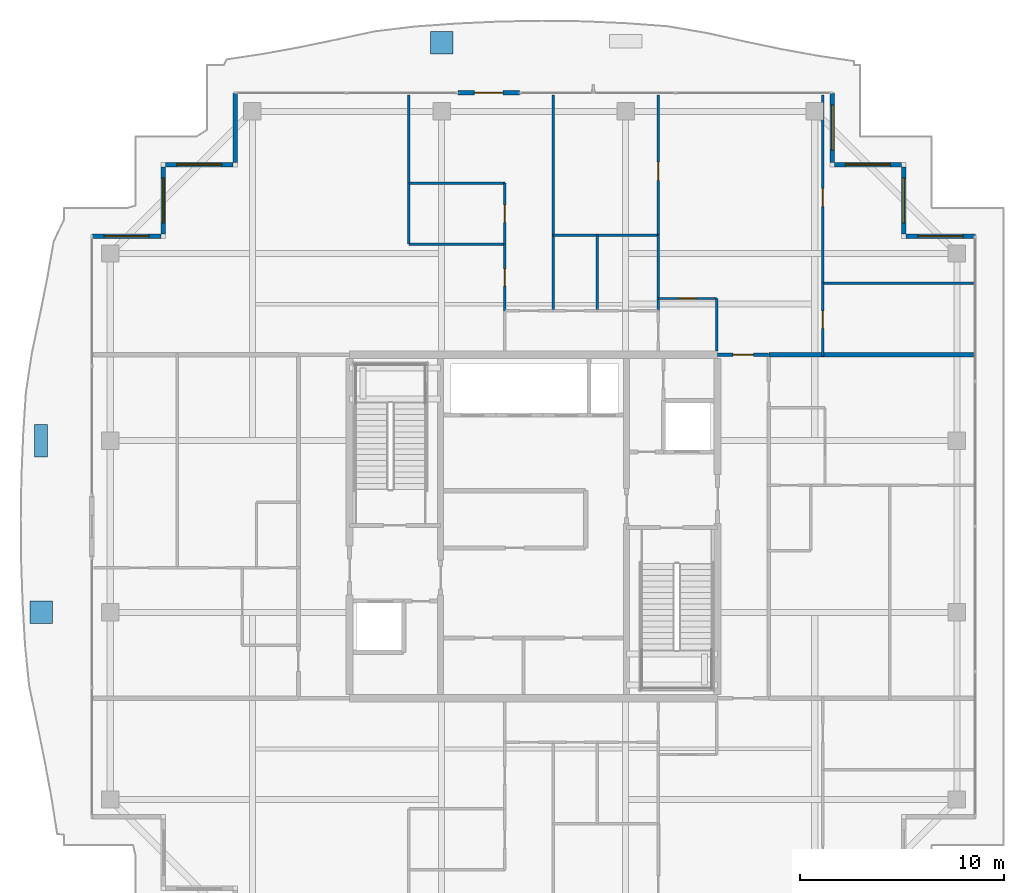
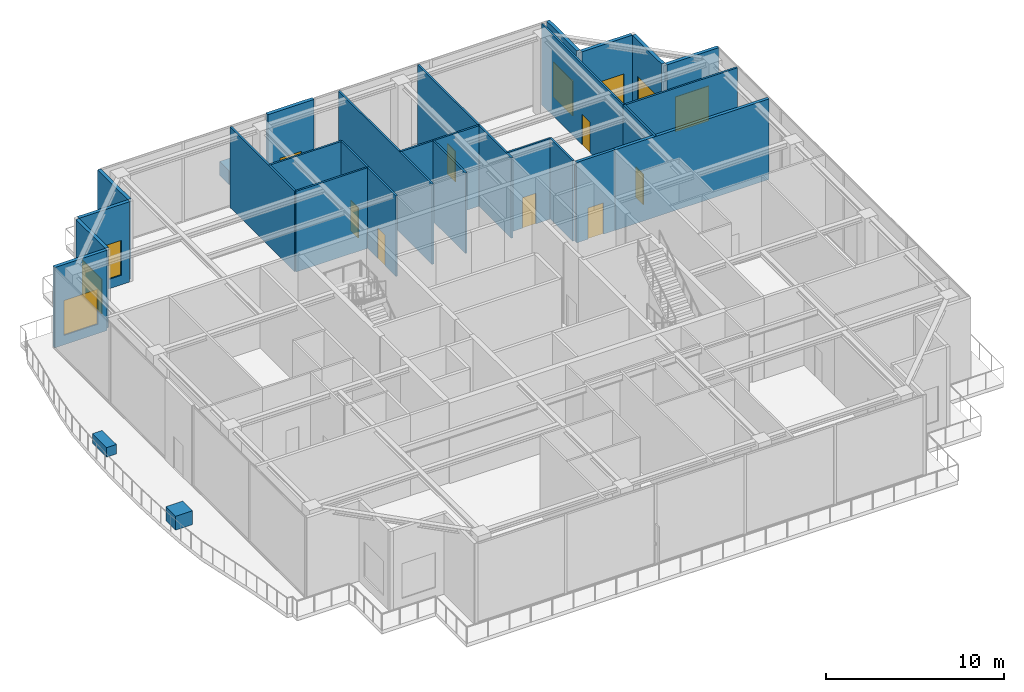
# One storey, part 29 of 38: 26 walls, 8 doors, 7 windows, 3 discrete accessories, 15 openings.
"""IFC4 building model written with IfcOpenShell, lengths in metres."""

from ifc_helpers import new_model, si_unit, direction, frame, frame_2d, origin, origin_2d, place, context, subcontext, project, spatial, rectangle, extrude, source, transform, mapped, material, layer, layer_set, type_object, element, fill, save


model = new_model("IFC4")

# Units and contexts
model_context = context("Model", 3, precision=1e-05, world=origin(), true_north=direction((0.0, 1.0)))
body_context = subcontext(model_context, "Body", "Model", "MODEL_VIEW")
ifc_project = project(units=[si_unit("LENGTHUNIT", "METRE"), si_unit("AREAUNIT", "SQUARE_METRE"), si_unit("VOLUMEUNIT", "CUBIC_METRE"), si_unit("PLANEANGLEUNIT", "RADIAN"), si_unit("MASSUNIT", "GRAM", prefix="KILO")], contexts=[model_context])

# Site, building, storey
site_placement = place(None, origin())
site = spatial("IfcSite", under=ifc_project, at=site_placement, CompositionType="ELEMENT")
building_placement = place(site_placement, origin())
building = spatial("IfcBuilding", under=site, at=building_placement, Name="Serunith Strait Residences", CompositionType="ELEMENT")
storey_placement = place(building_placement, frame((0.0, 0.0, 353.85009765625)))
storey = spatial("IfcBuildingStorey", under=building, at=storey_placement, Name="L87", CompositionType="ELEMENT", Elevation=353.85009765625)

# Wall, opening, window
ifc_material_1 = material(Name="Pale-Champagne Aluminium Insulated Panel", Category="aluminium")
ifc_layer_1 = layer(ifc_material_1, 0.219970703125, Name="Pale-Champagne Aluminium Insulated Panel")
ifc_layer_set_1 = layer_set([ifc_layer_1], Name="Pale-Champagne Aluminium Insulated Panel")
wall_type_1 = type_object("IfcWallType", Name="EW-ALUM-220", PredefinedType="ELEMENTEDWALL", material=ifc_layer_set_1)
wall_1_placement = place(storey_placement, frame((54.0, 39.39990234375, 0.0), z_axis=(0.0, 0.0, 1.0), x_axis=(-1.0, 0.0, 0.0)))
wall_1 = element("IfcWall", 1, at=wall_1_placement, inside=storey, type_object=wall_type_1, Name="L87 Girih Serrated Corner Wall 07", PredefinedType="ELEMENTEDWALL", context=body_context, shape_type="SweptSolid", body=[
    extrude(rectangle(XDim=3.389892578125, YDim=0.219970703125, at=frame_2d((1.69482421875, 0.0))), origin(), (0.0, 0.0, 1.0), 5.52490234375),
])
opening_1_placement = place(wall_1_placement, frame((0.594970703125, 0.0, 0.64990234375)))
opening_1 = element("IfcOpeningElement", 2, at=opening_1_placement, cuts=wall_1, Name="Opening W-06", PredefinedType="OPENING", context=body_context, shape_type="SweptSolid", body=[
    extrude(rectangle(XDim=2.199951171875, YDim=2.39990234375, at=frame_2d((1.10009765625, 1.199951171875))), frame((0.0, 0.1201171875, 0.0), z_axis=(0.0, -1.0, 0.0), x_axis=(1.0, 0.0, 0.0)), (0.0, 0.0, 1.0), 0.239990234375),
])
ifc_material_2 = material(Name="Crown Penthouse Low-E Operable Window Glass", Category="glass")
window_type = type_object("IfcWindowType", Name="WIN-C6", PartitioningType="TRIPLE_PANEL_VERTICAL", PredefinedType="WINDOW", material=ifc_material_2)
shared_shape_1 = source(origin(), body_context, "Body", "SweptSolid", [
    extrude(rectangle(XDim=2.199951171875, YDim=2.39990234375, at=frame_2d((1.10009765625, 1.199951171875))), frame((0.0, 0.030029296875, 0.0), z_axis=(0.0, -1.0, 0.0), x_axis=(1.0, 0.0, 0.0)), (0.0, 0.0, 1.0), 0.06005859375),
])
window_1_placement = place(opening_1_placement, origin())
window_1 = element("IfcWindow", 3, at=window_1_placement, inside=storey, type_object=window_type, Name="L87 Corner Operable Fritted Window 07", OverallHeight=2.39990234375, OverallWidth=2.199951171875, PartitioningType="SINGLE_PANEL", PredefinedType="WINDOW", context=body_context, shape_type="MappedRepresentation", body=[
    mapped(shared_shape_1, transform((0.0, 0.0, 0.0), scale=1.0)),
])
fill(opening_1, window_1)

wall_2_placement = place(storey_placement, frame((50.5, 39.510009765625, 0.0), z_axis=(0.0, 0.0, 1.0), x_axis=(0.0, 1.0, 0.0)))
wall_2 = element("IfcWall", 4, at=wall_2_placement, inside=storey, type_object=wall_type_1, Name="L87 Girih Serrated Corner Wall 08", PredefinedType="ELEMENTEDWALL", context=body_context, shape_type="SweptSolid", body=[
    extrude(rectangle(XDim=3.280029296875, YDim=0.219970703125, at=frame_2d((1.64013671875, 0.0))), origin(), (0.0, 0.0, 1.0), 5.52490234375),
])
opening_2_placement = place(wall_2_placement, frame((0.5400390625, 0.0, 0.64990234375)))
opening_2 = element("IfcOpeningElement", 5, at=opening_2_placement, cuts=wall_2, Name="Opening W-06", PredefinedType="OPENING", context=body_context, shape_type="SweptSolid", body=[
    extrude(rectangle(XDim=2.199951171875, YDim=2.39990234375, at=frame_2d((1.10009765625, 1.199951171875))), frame((0.0, 0.1201171875, 0.0), z_axis=(0.0, -1.0, 0.0), x_axis=(1.0, 0.0, 0.0)), (0.0, 0.0, 1.0), 0.239990234375),
])
window_2_placement = place(opening_2_placement, origin())
window_2 = element("IfcWindow", 6, at=window_2_placement, inside=storey, type_object=window_type, Name="L87 Corner Operable Fritted Window 08", OverallHeight=2.39990234375, OverallWidth=2.199951171875, PartitioningType="SINGLE_PANEL", PredefinedType="WINDOW", context=body_context, shape_type="MappedRepresentation", body=[
    mapped(shared_shape_1, transform((0.0, 0.0, 0.0), scale=1.0)),
])
fill(opening_2, window_2)

wall_3_placement = place(storey_placement, frame((50.389892578125, 42.89990234375, 0.0), z_axis=(0.0, 0.0, 1.0), x_axis=(-1.0, 0.0, 0.0)))
wall_3 = element("IfcWall", 7, at=wall_3_placement, inside=storey, type_object=wall_type_1, Name="L87 Girih Serrated Corner Wall 09", PredefinedType="ELEMENTEDWALL", context=body_context, shape_type="SweptSolid", body=[
    extrude(rectangle(XDim=3.27978515625, YDim=0.219970703125, at=frame_2d((1.639892578125, 0.0))), origin(), (0.0, 0.0, 1.0), 5.52490234375),
])
opening_3_placement = place(wall_3_placement, frame((0.5400390625, 0.0, 0.64990234375)))
opening_3 = element("IfcOpeningElement", 8, at=opening_3_placement, cuts=wall_3, Name="Opening W-06", PredefinedType="OPENING", context=body_context, shape_type="SweptSolid", body=[
    extrude(rectangle(XDim=2.199951171875, YDim=2.39990234375, at=frame_2d((1.10009765625, 1.199951171875))), frame((0.0, 0.1201171875, 0.0), z_axis=(0.0, -1.0, 0.0), x_axis=(1.0, 0.0, 0.0)), (0.0, 0.0, 1.0), 0.239990234375),
])
window_3_placement = place(opening_3_placement, origin())
window_3 = element("IfcWindow", 9, at=window_3_placement, inside=storey, type_object=window_type, Name="L87 Corner Operable Fritted Window 09", OverallHeight=2.39990234375, OverallWidth=2.199951171875, PartitioningType="SINGLE_PANEL", PredefinedType="WINDOW", context=body_context, shape_type="MappedRepresentation", body=[
    mapped(shared_shape_1, transform((0.0, 0.0, 0.0), scale=1.0)),
])
fill(opening_3, window_3)

wall_4_placement = place(storey_placement, frame((47.0, 43.010009765625, 0.0), z_axis=(0.0, 0.0, 1.0), x_axis=(0.0, 1.0, 0.0)))
wall_4 = element("IfcWall", 10, at=wall_4_placement, inside=storey, type_object=wall_type_1, Name="L87 Girih Serrated Corner Wall 10", PredefinedType="ELEMENTEDWALL", context=body_context, shape_type="SweptSolid", body=[
    extrude(rectangle(XDim=3.389892578125, YDim=0.219970703125, at=frame_2d((1.69482421875, 0.0))), origin(), (0.0, 0.0, 1.0), 5.52490234375),
])
opening_4_placement = place(wall_4_placement, frame((0.594970703125, 0.0, 0.64990234375)))
opening_4 = element("IfcOpeningElement", 11, at=opening_4_placement, cuts=wall_4, Name="Opening W-06", PredefinedType="OPENING", context=body_context, shape_type="SweptSolid", body=[
    extrude(rectangle(XDim=2.199951171875, YDim=2.39990234375, at=frame_2d((1.10009765625, 1.199951171875))), frame((0.0, 0.1201171875, 0.0), z_axis=(0.0, -1.0, 0.0), x_axis=(1.0, 0.0, 0.0)), (0.0, 0.0, 1.0), 0.239990234375),
])
window_4_placement = place(opening_4_placement, origin())
window_4 = element("IfcWindow", 12, at=window_4_placement, inside=storey, type_object=window_type, Name="L87 Corner Operable Fritted Window 10", OverallHeight=2.39990234375, OverallWidth=2.199951171875, PartitioningType="SINGLE_PANEL", PredefinedType="WINDOW", context=body_context, shape_type="MappedRepresentation", body=[
    mapped(shared_shape_1, transform((0.0, 0.0, 0.0), scale=1.0)),
])
fill(opening_4, window_4)

# Wall, opening, door
wall_5_placement = place(storey_placement, frame((31.699951171875, 46.39990234375, 0.0), z_axis=(0.0, 0.0, 1.0), x_axis=(-1.0, 0.0, 0.0)))
wall_5 = element("IfcWall", 13, at=wall_5_placement, inside=storey, type_object=wall_type_1, Name="L87 N Facade Pier Wall", PredefinedType="ELEMENTEDWALL", context=body_context, shape_type="SweptSolid", body=[
    extrude(rectangle(XDim=3.0, YDim=0.219970703125, at=frame_2d((1.5, 0.0))), origin(), (0.0, 0.0, 1.0), 5.52490234375),
])
opening_5_placement = place(wall_5_placement, frame((0.800048828125, 0.0, 0.0)))
opening_5 = element("IfcOpeningElement", 14, at=opening_5_placement, cuts=wall_5, Name="Opening ED-04", PredefinedType="OPENING", context=body_context, shape_type="SweptSolid", body=[
    extrude(rectangle(XDim=1.39990234375, YDim=2.25, at=frame_2d((0.699951171875, 1.125))), frame((0.0, 0.1201171875, 0.0), z_axis=(0.0, -1.0, 0.0), x_axis=(1.0, 0.0, 0.0)), (0.0, 0.0, 1.0), 0.239990234375),
])
ifc_material_3 = material(Name="Thermally-Broken Aluminium Sliding Balcony Door", Category="aluminium")
door_type_1 = type_object("IfcDoorType", Name="ED-BALC-1400", OperationType="NOTDEFINED", PredefinedType="DOOR", material=ifc_material_3)
shared_shape_2 = source(origin(), body_context, "Body", "SweptSolid", [
    extrude(rectangle(XDim=1.39990234375, YDim=2.25, at=frame_2d((0.699951171875, 1.125))), frame((0.0, 0.02490234375, 0.0), z_axis=(0.0, -1.0, 0.0), x_axis=(1.0, 0.0, 0.0)), (0.0, 0.0, 1.0), 0.050048828125),
])
door_1_placement = place(opening_5_placement, origin())
door_1 = element("IfcDoor", 15, at=door_1_placement, inside=storey, type_object=door_type_1, Name="L87 N Vertical-Forest Balcony Door", OperationType="SLIDING_TO_LEFT", OverallHeight=2.25, OverallWidth=1.39990234375, PredefinedType="DOOR", context=body_context, shape_type="MappedRepresentation", body=[
    mapped(shared_shape_2, transform((0.0, 0.0, 0.0), scale=1.0)),
])
fill(opening_5, door_1)

# Wall
wall_6_placement = place(storey_placement, frame((17.800048828125, 46.39990234375, 0.0), z_axis=(0.0, 0.0, 1.0), x_axis=(0.0, -1.0, 0.0)))
element("IfcWall", 16, at=wall_6_placement, inside=storey, type_object=wall_type_1, Name="L87 Girih Serrated Corner Wall 12", PredefinedType="ELEMENTEDWALL", context=body_context, shape_type="SweptSolid", body=[
    extrude(rectangle(XDim=3.389892578125, YDim=0.219970703125, at=frame_2d((1.69482421875, 0.0))), origin(), (0.0, 0.0, 1.0), 5.52490234375),
])

# Wall, opening, window
wall_7_placement = place(storey_placement, frame((17.68994140625, 42.89990234375, 0.0), z_axis=(0.0, 0.0, 1.0), x_axis=(-1.0, 0.0, 0.0)))
wall_7 = element("IfcWall", 17, at=wall_7_placement, inside=storey, type_object=wall_type_1, Name="L87 Girih Serrated Corner Wall 13", PredefinedType="ELEMENTEDWALL", context=body_context, shape_type="SweptSolid", body=[
    extrude(rectangle(XDim=3.280029296875, YDim=0.219970703125, at=frame_2d((1.64013671875, 0.0))), origin(), (0.0, 0.0, 1.0), 5.52490234375),
])
opening_6_placement = place(wall_7_placement, frame((0.5400390625, 0.0, 0.64990234375)))
opening_6 = element("IfcOpeningElement", 18, at=opening_6_placement, cuts=wall_7, Name="Opening W-06", PredefinedType="OPENING", context=body_context, shape_type="SweptSolid", body=[
    extrude(rectangle(XDim=2.199951171875, YDim=2.39990234375, at=frame_2d((1.10009765625, 1.199951171875))), frame((0.0, 0.1201171875, 0.0), z_axis=(0.0, -1.0, 0.0), x_axis=(1.0, 0.0, 0.0)), (0.0, 0.0, 1.0), 0.239990234375),
])
window_5_placement = place(opening_6_placement, origin())
window_5 = element("IfcWindow", 19, at=window_5_placement, inside=storey, type_object=window_type, Name="L87 Corner Operable Fritted Window 13", OverallHeight=2.39990234375, OverallWidth=2.199951171875, PartitioningType="SINGLE_PANEL", PredefinedType="WINDOW", context=body_context, shape_type="MappedRepresentation", body=[
    mapped(shared_shape_1, transform((0.0, 0.0, 0.0), scale=1.0)),
])
fill(opening_6, window_5)

wall_8_placement = place(storey_placement, frame((14.300048828125, 42.7900390625, 0.0), z_axis=(0.0, 0.0, 1.0), x_axis=(0.0, -1.0, 0.0)))
wall_8 = element("IfcWall", 20, at=wall_8_placement, inside=storey, type_object=wall_type_1, Name="L87 Girih Serrated Corner Wall 14", PredefinedType="ELEMENTEDWALL", context=body_context, shape_type="SweptSolid", body=[
    extrude(rectangle(XDim=3.280029296875, YDim=0.219970703125, at=frame_2d((1.64013671875, 0.0))), origin(), (0.0, 0.0, 1.0), 5.52490234375),
])
opening_7_placement = place(wall_8_placement, frame((0.5400390625, 0.0, 0.64990234375)))
opening_7 = element("IfcOpeningElement", 21, at=opening_7_placement, cuts=wall_8, Name="Opening W-06", PredefinedType="OPENING", context=body_context, shape_type="SweptSolid", body=[
    extrude(rectangle(XDim=2.199951171875, YDim=2.39990234375, at=frame_2d((1.10009765625, 1.199951171875))), frame((0.0, 0.1201171875, 0.0), z_axis=(0.0, -1.0, 0.0), x_axis=(1.0, 0.0, 0.0)), (0.0, 0.0, 1.0), 0.239990234375),
])
window_6_placement = place(opening_7_placement, origin())
window_6 = element("IfcWindow", 22, at=window_6_placement, inside=storey, type_object=window_type, Name="L87 Corner Operable Fritted Window 14", OverallHeight=2.39990234375, OverallWidth=2.199951171875, PartitioningType="SINGLE_PANEL", PredefinedType="WINDOW", context=body_context, shape_type="MappedRepresentation", body=[
    mapped(shared_shape_1, transform((0.0, 0.0, 0.0), scale=1.0)),
])
fill(opening_7, window_6)

wall_9_placement = place(storey_placement, frame((14.18994140625, 39.39990234375, 0.0), z_axis=(0.0, 0.0, 1.0), x_axis=(-1.0, 0.0, 0.0)))
wall_9 = element("IfcWall", 23, at=wall_9_placement, inside=storey, type_object=wall_type_1, Name="L87 Girih Serrated Corner Wall 15", PredefinedType="ELEMENTEDWALL", context=body_context, shape_type="SweptSolid", body=[
    extrude(rectangle(XDim=3.389892578125, YDim=0.219970703125, at=frame_2d((1.69482421875, 0.0))), origin(), (0.0, 0.0, 1.0), 5.52490234375),
])
opening_8_placement = place(wall_9_placement, frame((0.594970703125, 0.0, 0.64990234375)))
opening_8 = element("IfcOpeningElement", 24, at=opening_8_placement, cuts=wall_9, Name="Opening W-06", PredefinedType="OPENING", context=body_context, shape_type="SweptSolid", body=[
    extrude(rectangle(XDim=2.199951171875, YDim=2.39990234375, at=frame_2d((1.10009765625, 1.199951171875))), frame((0.0, 0.1201171875, 0.0), z_axis=(0.0, -1.0, 0.0), x_axis=(1.0, 0.0, 0.0)), (0.0, 0.0, 1.0), 0.239990234375),
])
window_7_placement = place(opening_8_placement, origin())
window_7 = element("IfcWindow", 25, at=window_7_placement, inside=storey, type_object=window_type, Name="L87 Corner Operable Fritted Window 15", OverallHeight=2.39990234375, OverallWidth=2.199951171875, PartitioningType="SINGLE_PANEL", PredefinedType="WINDOW", context=body_context, shape_type="MappedRepresentation", body=[
    mapped(shared_shape_1, transform((0.0, 0.0, 0.0), scale=1.0)),
])
fill(opening_8, window_7)

# Wall, opening, door
ifc_material_4 = material(Name="Fire-rated acoustic gypsum partition")
ifc_layer_2 = layer(ifc_material_4, 0.179931640625, Name="Fire-rated acoustic gypsum partition")
ifc_layer_set_2 = layer_set([ifc_layer_2], Name="Fire-rated acoustic gypsum partition")
wall_type_2 = type_object("IfcWallType", Name="IW-CORR-180", PredefinedType="PARTITIONING", material=ifc_layer_set_2)
wall_10_placement = place(storey_placement, frame((41.402099609375, 33.60009765625, 0.0), z_axis=(0.0, 0.0, 1.0), x_axis=(1.0, 0.0, 0.0)))
wall_10 = element("IfcWall", 26, at=wall_10_placement, inside=storey, type_object=wall_type_2, Name="L87 Partition Wall 026", PredefinedType="PARTITIONING", context=body_context, shape_type="SweptSolid", body=[
    extrude(rectangle(XDim=2.495849609375, YDim=0.179931640625, at=frame_2d((1.248046875, 0.0))), origin(), (0.0, 0.0, 1.0), 5.539794921875),
])
opening_9_placement = place(wall_10_placement, frame((0.748046875, 0.0, 0.0)))
opening_9 = element("IfcOpeningElement", 27, at=opening_9_placement, cuts=wall_10, Name="Opening D-APT1000", PredefinedType="OPENING", context=body_context, shape_type="SweptSolid", body=[
    extrude(rectangle(XDim=1.0, YDim=2.14990234375, at=frame_2d((0.5, 1.074951171875))), frame((0.0, 0.10009765625, 0.0), z_axis=(0.0, -1.0, 0.0), x_axis=(1.0, 0.0, 0.0)), (0.0, 0.0, 1.0), 0.199951171875),
])
ifc_material_5 = material(Name="Solid timber engineered fire door", Category="wood")
door_type_2 = type_object("IfcDoorType", Name="ID-APT-1000", OperationType="NOTDEFINED", PredefinedType="DOOR", material=ifc_material_5)
shared_shape_3 = source(origin(), body_context, "Body", "SweptSolid", [
    extrude(rectangle(XDim=1.0, YDim=2.14990234375, at=frame_2d((0.5, 1.074951171875))), frame((0.0, 0.02490234375, 0.0), z_axis=(0.0, -1.0, 0.0), x_axis=(1.0, 0.0, 0.0)), (0.0, 0.0, 1.0), 0.050048828125),
])
door_2_placement = place(opening_9_placement, origin())
door_2 = element("IfcDoor", 28, at=door_2_placement, inside=storey, type_object=door_type_2, Name="L87 Unit 02 Entrance Door", OperationType="SINGLE_SWING_RIGHT", OverallHeight=2.14990234375, OverallWidth=1.0, PredefinedType="DOOR", context=body_context, shape_type="MappedRepresentation", body=[
    mapped(shared_shape_3, transform((0.0, 0.0, 0.0), scale=1.0)),
])
fill(opening_9, door_2)

ifc_material_6 = material(Name="Lightweight steel-stud gypsum partition", Category="steel")
ifc_layer_3 = layer(ifc_material_6, 0.1201171875, Name="Lightweight steel-stud gypsum partition")
ifc_layer_set_3 = layer_set([ifc_layer_3], Name="Lightweight steel-stud gypsum partition")
wall_type_3 = type_object("IfcWallType", Name="IW-PART-120", PredefinedType="PARTITIONING", material=ifc_layer_set_3)
wall_11_placement = place(storey_placement, frame((38.5, 36.35009765625, 0.0), z_axis=(0.0, 0.0, 1.0), x_axis=(1.0, 0.0, 0.0)))
wall_11 = element("IfcWall", 29, at=wall_11_placement, inside=storey, type_object=wall_type_3, Name="L87 Partition Wall 048", PredefinedType="PARTITIONING", context=body_context, shape_type="SweptSolid", body=[
    extrude(rectangle(XDim=2.85009765625, YDim=0.1201171875, at=frame_2d((1.425048828125, 0.0))), origin(), (0.0, 0.0, 1.0), 5.539794921875),
])
opening_10_placement = place(wall_11_placement, frame((1.0, 0.0, 0.0)))
opening_10 = element("IfcOpeningElement", 30, at=opening_10_placement, cuts=wall_11, Name="Opening D-RM850", PredefinedType="OPENING", context=body_context, shape_type="SweptSolid", body=[
    extrude(rectangle(XDim=0.85009765625, YDim=2.10009765625, at=frame_2d((0.425048828125, 1.050048828125))), frame((0.0, 0.070068359375, 0.0), z_axis=(0.0, -1.0, 0.0), x_axis=(1.0, 0.0, 0.0)), (0.0, 0.0, 1.0), 0.14013671875),
])
ifc_material_7 = material(Name="Engineered timber flush study and kitchen door", Category="wood")
door_type_3 = type_object("IfcDoorType", Name="ID-ROOM-850", OperationType="NOTDEFINED", PredefinedType="DOOR", material=ifc_material_7)
shared_shape_4 = source(origin(), body_context, "Body", "SweptSolid", [
    extrude(rectangle(XDim=0.85009765625, YDim=2.10009765625, at=frame_2d((0.425048828125, 1.050048828125))), frame((0.0, 0.02490234375, 0.0), z_axis=(0.0, -1.0, 0.0), x_axis=(1.0, 0.0, 0.0)), (0.0, 0.0, 1.0), 0.050048828125),
])
door_3_placement = place(opening_10_placement, origin())
door_3 = element("IfcDoor", 31, at=door_3_placement, inside=storey, type_object=door_type_3, Name="L87 Kitchen 8702 Door", OperationType="SINGLE_SWING_RIGHT", OverallHeight=2.10009765625, OverallWidth=0.85009765625, PredefinedType="DOOR", context=body_context, shape_type="MappedRepresentation", body=[
    mapped(shared_shape_4, transform((0.0, 0.0, 0.0), scale=1.0)),
])
fill(opening_10, door_3)

# Wall
wall_12_placement = place(storey_placement, frame((41.35009765625, 36.35009765625, 0.0), z_axis=(0.0, 0.0, 1.0), x_axis=(0.0, -1.0, 0.0)))
element("IfcWall", 32, at=wall_12_placement, inside=storey, type_object=wall_type_3, Name="L87 Partition Wall 049", PredefinedType="PARTITIONING", context=body_context, shape_type="SweptSolid", body=[
    extrude(rectangle(XDim=2.5751953125, YDim=0.1201171875, at=frame_2d((1.28759765625, 0.0))), origin(), (0.0, 0.0, 1.0), 5.539794921875),
])

# Wall, opening, door
wall_13_placement = place(storey_placement, frame((38.5, 46.304931640625, 0.0), z_axis=(0.0, 0.0, 1.0), x_axis=(0.0, -1.0, 0.0)))
wall_13 = element("IfcWall", 33, at=wall_13_placement, inside=storey, type_object=wall_type_3, Name="L87 Partition Wall 051", PredefinedType="PARTITIONING", context=body_context, shape_type="SweptSolid", body=[
    extrude(rectangle(XDim=6.85400390625, YDim=0.1201171875, at=frame_2d((3.427001953125, 0.0))), origin(), (0.0, 0.0, 1.0), 5.539794921875),
])
opening_11_placement = place(wall_13_placement, frame((3.27490234375, 0.0, 0.0)))
opening_11 = element("IfcOpeningElement", 34, at=opening_11_placement, cuts=wall_13, Name="Opening D-RM900", PredefinedType="OPENING", context=body_context, shape_type="SweptSolid", body=[
    extrude(rectangle(XDim=0.89990234375, YDim=2.10009765625, at=frame_2d((0.449951171875, 1.050048828125))), frame((0.0, 0.070068359375, 0.0), z_axis=(0.0, -1.0, 0.0), x_axis=(1.0, 0.0, 0.0)), (0.0, 0.0, 1.0), 0.14013671875),
])
ifc_material_8 = material(Name="Engineered timber flush bedroom door", Category="wood")
door_type_4 = type_object("IfcDoorType", Name="ID-ROOM-900", OperationType="NOTDEFINED", PredefinedType="DOOR", material=ifc_material_8)
shared_shape_5 = source(origin(), body_context, "Body", "SweptSolid", [
    extrude(rectangle(XDim=0.89990234375, YDim=2.10009765625, at=frame_2d((0.449951171875, 1.050048828125))), frame((0.0, 0.02490234375, 0.0), z_axis=(0.0, -1.0, 0.0), x_axis=(1.0, 0.0, 0.0)), (0.0, 0.0, 1.0), 0.050048828125),
])
door_4_placement = place(opening_11_placement, origin())
door_4 = element("IfcDoor", 35, at=door_4_placement, inside=storey, type_object=door_type_4, Name="L87 Formal Dining Room 1 8702 Door", OperationType="SINGLE_SWING_RIGHT", OverallHeight=2.10009765625, OverallWidth=0.89990234375, PredefinedType="DOOR", context=body_context, shape_type="MappedRepresentation", body=[
    mapped(shared_shape_5, transform((0.0, 0.0, 0.0), scale=1.0)),
])
fill(opening_11, door_4)

# Walls
wall_14_placement = place(storey_placement, frame((38.5, 39.448974609375, 0.0), z_axis=(0.0, 0.0, 1.0), x_axis=(0.0, -1.0, 0.0)))
element("IfcWall", 36, at=wall_14_placement, inside=storey, type_object=wall_type_3, Name="L87 Partition Wall 052", PredefinedType="PARTITIONING", context=body_context, shape_type="SweptSolid", body=[
    extrude(rectangle(XDim=3.697021484375, YDim=0.1201171875, at=frame_2d((1.8486328125, 0.0))), origin(), (0.0, 0.0, 1.0), 5.539794921875),
])
wall_15_placement = place(storey_placement, frame((33.35009765625, 39.450927734375, 0.0), z_axis=(0.0, 0.0, 1.0), x_axis=(1.0, 0.0, 0.0)))
element("IfcWall", 37, at=wall_15_placement, inside=storey, type_object=wall_type_3, Name="L87 Partition Wall 053", PredefinedType="PARTITIONING", context=body_context, shape_type="SweptSolid", body=[
    extrude(rectangle(XDim=5.14990234375, YDim=0.1201171875, at=frame_2d((2.574951171875, 0.0))), origin(), (0.0, 0.0, 1.0), 5.539794921875),
])
wall_16_placement = place(storey_placement, frame((33.35009765625, 46.304931640625, 0.0), z_axis=(0.0, 0.0, 1.0), x_axis=(0.0, -1.0, 0.0)))
element("IfcWall", 38, at=wall_16_placement, inside=storey, type_object=wall_type_3, Name="L87 Partition Wall 054", PredefinedType="PARTITIONING", context=body_context, shape_type="SweptSolid", body=[
    extrude(rectangle(XDim=10.554931640625, YDim=0.1201171875, at=frame_2d((5.27734375, 0.0))), origin(), (0.0, 0.0, 1.0), 5.539794921875),
])
wall_17_placement = place(storey_placement, frame((35.512939453125, 39.450927734375, 0.0), z_axis=(0.0, 0.0, 1.0), x_axis=(0.0, -1.0, 0.0)))
element("IfcWall", 39, at=wall_17_placement, inside=storey, type_object=wall_type_3, Name="L87 Partition Wall 055", PredefinedType="PARTITIONING", context=body_context, shape_type="SweptSolid", body=[
    extrude(rectangle(XDim=3.700927734375, YDim=0.1201171875, at=frame_2d((1.8505859375, 0.0))), origin(), (0.0, 0.0, 1.0), 5.539794921875),
])
wall_18_placement = place(storey_placement, frame((26.300048828125, 41.989990234375, 0.0), z_axis=(0.0, 0.0, 1.0), x_axis=(1.0, 0.0, 0.0)))
element("IfcWall", 40, at=wall_18_placement, inside=storey, type_object=wall_type_3, Name="L87 Partition Wall 059", PredefinedType="PARTITIONING", context=body_context, shape_type="SweptSolid", body=[
    extrude(rectangle(XDim=4.699951171875, YDim=0.1201171875, at=frame_2d((2.35009765625, 0.0))), origin(), (0.0, 0.0, 1.0), 5.539794921875),
])
wall_19_placement = place(storey_placement, frame((26.300048828125, 46.304931640625, 0.0), z_axis=(0.0, 0.0, 1.0), x_axis=(0.0, -1.0, 0.0)))
element("IfcWall", 41, at=wall_19_placement, inside=storey, type_object=wall_type_3, Name="L87 Partition Wall 060", PredefinedType="PARTITIONING", context=body_context, shape_type="SweptSolid", body=[
    extrude(rectangle(XDim=7.2939453125, YDim=0.1201171875, at=frame_2d((3.64697265625, 0.0))), origin(), (0.0, 0.0, 1.0), 5.539794921875),
])
wall_20_placement = place(storey_placement, frame((26.300048828125, 39.010986328125, 0.0), z_axis=(0.0, 0.0, 1.0), x_axis=(1.0, 0.0, 0.0)))
element("IfcWall", 42, at=wall_20_placement, inside=storey, type_object=wall_type_3, Name="L87 Partition Wall 061", PredefinedType="PARTITIONING", context=body_context, shape_type="SweptSolid", body=[
    extrude(rectangle(XDim=4.699951171875, YDim=0.1201171875, at=frame_2d((2.35009765625, 0.0))), origin(), (0.0, 0.0, 1.0), 5.539794921875),
])

# Wall, opening, door
wall_21_placement = place(storey_placement, frame((31.0, 41.989990234375, 0.0), z_axis=(0.0, 0.0, 1.0), x_axis=(0.0, -1.0, 0.0)))
wall_21 = element("IfcWall", 43, at=wall_21_placement, inside=storey, type_object=wall_type_3, Name="L87 Partition Wall 062", PredefinedType="PARTITIONING", context=body_context, shape_type="SweptSolid", body=[
    extrude(rectangle(XDim=2.97900390625, YDim=0.1201171875, at=frame_2d((1.489501953125, 0.0))), origin(), (0.0, 0.0, 1.0), 5.539794921875),
])
opening_12_placement = place(wall_21_placement, frame((1.06396484375, 0.0, 0.0)))
opening_12 = element("IfcOpeningElement", 44, at=opening_12_placement, cuts=wall_21, Name="Opening D-BTH850", PredefinedType="OPENING", context=body_context, shape_type="SweptSolid", body=[
    extrude(rectangle(XDim=0.85009765625, YDim=2.10009765625, at=frame_2d((0.425048828125, 1.050048828125))), frame((0.0, 0.070068359375, 0.0), z_axis=(0.0, -1.0, 0.0), x_axis=(1.0, 0.0, 0.0)), (0.0, 0.0, 1.0), 0.14013671875),
])
ifc_material_9 = material(Name="Moisture-resistant timber bathroom door", Category="wood")
door_type_5 = type_object("IfcDoorType", Name="ID-BATH-850", OperationType="NOTDEFINED", PredefinedType="DOOR", material=ifc_material_9)
door_5_placement = place(opening_12_placement, origin())
door_5 = element("IfcDoor", 45, at=door_5_placement, inside=storey, type_object=door_type_5, Name="L87 En-suite Bathroom W 8702 Door", OperationType="SINGLE_SWING_RIGHT", OverallHeight=2.10009765625, OverallWidth=0.85009765625, PredefinedType="DOOR", context=body_context, shape_type="MappedRepresentation", body=[
    mapped(shared_shape_4, transform((0.0, 0.0, 0.0), scale=1.0)),
])
fill(opening_12, door_5)

wall_22_placement = place(storey_placement, frame((31.0, 39.009033203125, 0.0), z_axis=(0.0, 0.0, 1.0), x_axis=(0.0, -1.0, 0.0)))
wall_22 = element("IfcWall", 46, at=wall_22_placement, inside=storey, type_object=wall_type_3, Name="L87 Partition Wall 063", PredefinedType="PARTITIONING", context=body_context, shape_type="SweptSolid", body=[
    extrude(rectangle(XDim=3.259033203125, YDim=0.1201171875, at=frame_2d((1.62939453125, 0.0))), origin(), (0.0, 0.0, 1.0), 5.539794921875),
])
opening_13_placement = place(wall_22_placement, frame((1.205078125, 0.0, 0.0)))
opening_13 = element("IfcOpeningElement", 47, at=opening_13_placement, cuts=wall_22, Name="Opening D-RM850", PredefinedType="OPENING", context=body_context, shape_type="SweptSolid", body=[
    extrude(rectangle(XDim=0.85009765625, YDim=2.10009765625, at=frame_2d((0.425048828125, 1.050048828125))), frame((0.0, 0.070068359375, 0.0), z_axis=(0.0, -1.0, 0.0), x_axis=(1.0, 0.0, 0.0)), (0.0, 0.0, 1.0), 0.14013671875),
])
door_6_placement = place(opening_13_placement, origin())
door_6 = element("IfcDoor", 48, at=door_6_placement, inside=storey, type_object=door_type_3, Name="L87 Wardrobe W 8702 Door", OperationType="SINGLE_SWING_LEFT", OverallHeight=2.10009765625, OverallWidth=0.85009765625, PredefinedType="DOOR", context=body_context, shape_type="MappedRepresentation", body=[
    mapped(shared_shape_4, transform((0.0, 0.0, 0.0), scale=1.0)),
])
fill(opening_13, door_6)

wall_23_placement = place(storey_placement, frame((46.550048828125, 46.304931640625, 0.0), z_axis=(0.0, 0.0, 1.0), x_axis=(0.0, -1.0, 0.0)))
wall_23 = element("IfcWall", 49, at=wall_23_placement, inside=storey, type_object=wall_type_3, Name="L87 Partition Wall 065", PredefinedType="PARTITIONING", context=body_context, shape_type="SweptSolid", body=[
    extrude(rectangle(XDim=9.204833984375, YDim=0.1201171875, at=frame_2d((4.6025390625, 0.0))), origin(), (0.0, 0.0, 1.0), 5.539794921875),
])
opening_14_placement = place(wall_23_placement, frame((4.568115234375, 0.0, 0.0)))
opening_14 = element("IfcOpeningElement", 50, at=opening_14_placement, cuts=wall_23, Name="Opening D-RM900", PredefinedType="OPENING", context=body_context, shape_type="SweptSolid", body=[
    extrude(rectangle(XDim=0.89990234375, YDim=2.10009765625, at=frame_2d((0.449951171875, 1.050048828125))), frame((0.0, 0.070068359375, 0.0), z_axis=(0.0, -1.0, 0.0), x_axis=(1.0, 0.0, 0.0)), (0.0, 0.0, 1.0), 0.14013671875),
])
door_7_placement = place(opening_14_placement, origin())
door_7 = element("IfcDoor", 51, at=door_7_placement, inside=storey, type_object=door_type_4, Name="L87 Bedroom 3 8702 Door", OperationType="SINGLE_SWING_RIGHT", OverallHeight=2.10009765625, OverallWidth=0.89990234375, PredefinedType="DOOR", context=body_context, shape_type="MappedRepresentation", body=[
    mapped(shared_shape_5, transform((0.0, 0.0, 0.0), scale=1.0)),
])
fill(opening_14, door_7)

# Wall
wall_24_placement = place(storey_placement, frame((46.550048828125, 37.10009765625, 0.0), z_axis=(0.0, 0.0, 1.0), x_axis=(1.0, 0.0, 0.0)))
element("IfcWall", 52, at=wall_24_placement, inside=storey, type_object=wall_type_3, Name="L87 Partition Wall 066", PredefinedType="PARTITIONING", context=body_context, shape_type="SweptSolid", body=[
    extrude(rectangle(XDim=7.35498046875, YDim=0.1201171875, at=frame_2d((3.677490234375, 0.0))), origin(), (0.0, 0.0, 1.0), 5.539794921875),
])

# Wall, opening, door
wall_25_placement = place(storey_placement, frame((46.550048828125, 37.097900390625, 0.0), z_axis=(0.0, 0.0, 1.0), x_axis=(0.0, -1.0, 0.0)))
wall_25 = element("IfcWall", 53, at=wall_25_placement, inside=storey, type_object=wall_type_3, Name="L87 Partition Wall 067", PredefinedType="PARTITIONING", context=body_context, shape_type="SweptSolid", body=[
    extrude(rectangle(XDim=3.557861328125, YDim=0.1201171875, at=frame_2d((1.77880859375, 0.0))), origin(), (0.0, 0.0, 1.0), 5.539794921875),
])
opening_15_placement = place(wall_25_placement, frame((1.35400390625, 0.0, 0.0)))
opening_15 = element("IfcOpeningElement", 54, at=opening_15_placement, cuts=wall_25, Name="Opening D-RM850", PredefinedType="OPENING", context=body_context, shape_type="SweptSolid", body=[
    extrude(rectangle(XDim=0.85009765625, YDim=2.10009765625, at=frame_2d((0.425048828125, 1.050048828125))), frame((0.0, 0.070068359375, 0.0), z_axis=(0.0, -1.0, 0.0), x_axis=(1.0, 0.0, 0.0)), (0.0, 0.0, 1.0), 0.14013671875),
])
door_8_placement = place(opening_15_placement, origin())
door_8 = element("IfcDoor", 55, at=door_8_placement, inside=storey, type_object=door_type_3, Name="L87 Walk-in Wardrobe 8702 Door", OperationType="SINGLE_SWING_LEFT", OverallHeight=2.10009765625, OverallWidth=0.85009765625, PredefinedType="DOOR", context=body_context, shape_type="MappedRepresentation", body=[
    mapped(shared_shape_4, transform((0.0, 0.0, 0.0), scale=1.0)),
])
fill(opening_15, door_8)

# Wall
ifc_material_10 = material(Name="Twin-stud acoustic gypsum board partition")
ifc_layer_4 = layer(ifc_material_10, 0.199951171875, Name="Twin-stud acoustic gypsum board partition")
ifc_layer_set_4 = layer_set([ifc_layer_4], Name="Twin-stud acoustic gypsum board partition")
wall_type_4 = type_object("IfcWallType", Name="IW-PARTY-200", PredefinedType="PARTITIONING", material=ifc_layer_set_4)
wall_26_placement = place(storey_placement, frame((43.89990234375, 33.60009765625, 0.0), z_axis=(0.0, 0.0, 1.0), x_axis=(1.0, 0.0, 0.0)))
element("IfcWall", 56, at=wall_26_placement, inside=storey, type_object=wall_type_4, Name="L87 Partition Wall 021", PredefinedType="PARTITIONING", context=body_context, shape_type="SweptSolid", body=[
    extrude(rectangle(XDim=10.01806640625, YDim=0.199951171875, at=frame_2d((5.009033203125, 0.0))), origin(), (0.0, 0.0, 1.0), 5.539794921875),
])

# Discrete accessories
ifc_material_11 = material(Name="GFRC Root-Anchored Structural Planter")
discrete_accessory_type_1 = type_object("IfcDiscreteAccessoryType", Name="ACC-PLANTER-TREE", PredefinedType="USERDEFINED", material=ifc_material_11)
shared_shape_6 = source(origin(), body_context, "Body", "SweptSolid", [
    extrude(rectangle(XDim=1.10009765625, YDim=1.10009765625, at=origin_2d()), origin(), (0.0, 0.0, 1.0), 0.949951171875),
])
for number, where, z_axis, x_axis, name in (
    (57, (27.89990234375, 48.856201171875, -0.05029296875), (0.0, 0.0, 1.0), (-1.0, 0.0, 0.0), "L87 Vertical-Forest Tree Planter 06"),
    (58, (8.32470703125, 21.0, -0.05029296875), (0.0, 0.0, 1.0), (0.0, -1.0, 0.0), "L87 Vertical-Forest Tree Planter 14"),
):
    element("IfcDiscreteAccessory", number, at=place(storey_placement, frame(where, z_axis=z_axis, x_axis=x_axis)), inside=storey, type_object=discrete_accessory_type_1, Name=name, ObjectType="PLANTER", PredefinedType="USERDEFINED", context=body_context, shape_type="MappedRepresentation", body=[
        mapped(shared_shape_6, transform((0.0, 0.0, 0.0), scale=1.0)),
    ])
ifc_material_12 = material(Name="GFRC Irrigated Shrub Trough Planter")
discrete_accessory_type_2 = type_object("IfcDiscreteAccessoryType", Name="ACC-PLANTER-SHRUB", PredefinedType="USERDEFINED", material=ifc_material_12)
shared_shape_7 = source(origin(), body_context, "Body", "SweptSolid", [
    extrude(rectangle(XDim=1.60009765625, YDim=0.64990234375, at=origin_2d()), origin(), (0.0, 0.0, 1.0), 0.64990234375),
])
discrete_accessory_placement = place(storey_placement, frame((8.314208984375, 29.39990234375, -0.050048828125), z_axis=(0.0, 0.0, 1.0), x_axis=(0.0, -1.0, 0.0)))
element("IfcDiscreteAccessory", 59, at=discrete_accessory_placement, inside=storey, type_object=discrete_accessory_type_2, Name="L87 Vertical-Forest Shrub Planter 15", ObjectType="PLANTER", PredefinedType="USERDEFINED", context=body_context, shape_type="MappedRepresentation", body=[
    mapped(shared_shape_7, transform((0.0, 0.0, 0.0), scale=1.0)),
])

save(model, "model.ifc")
